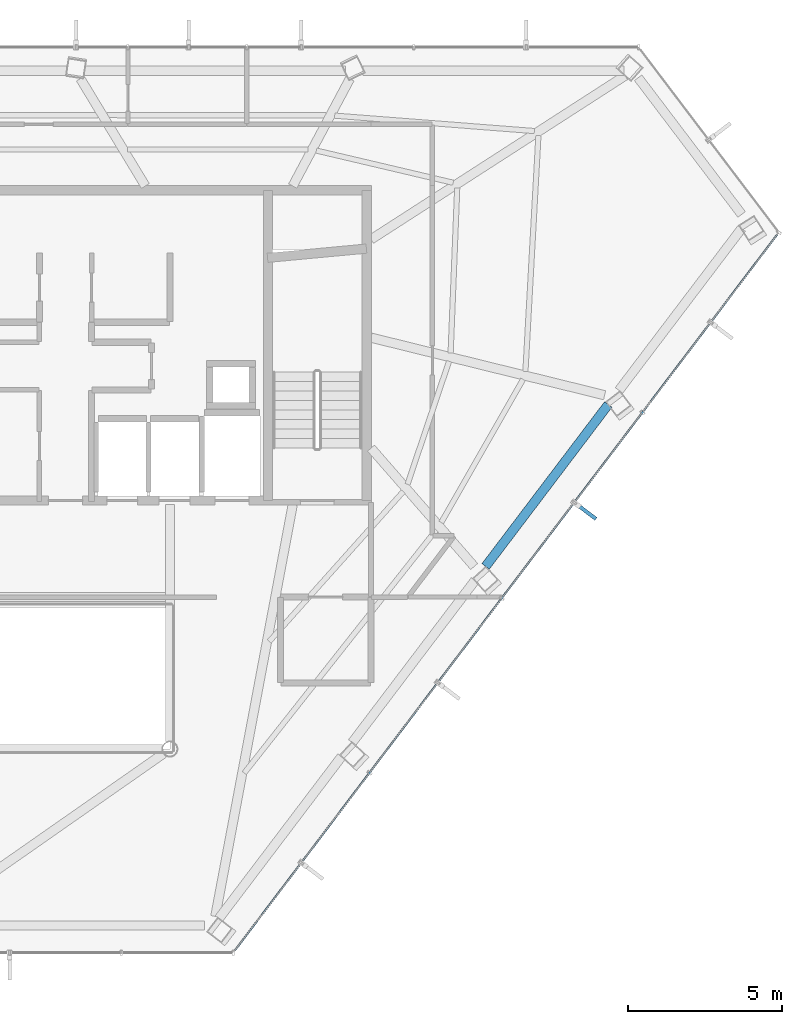
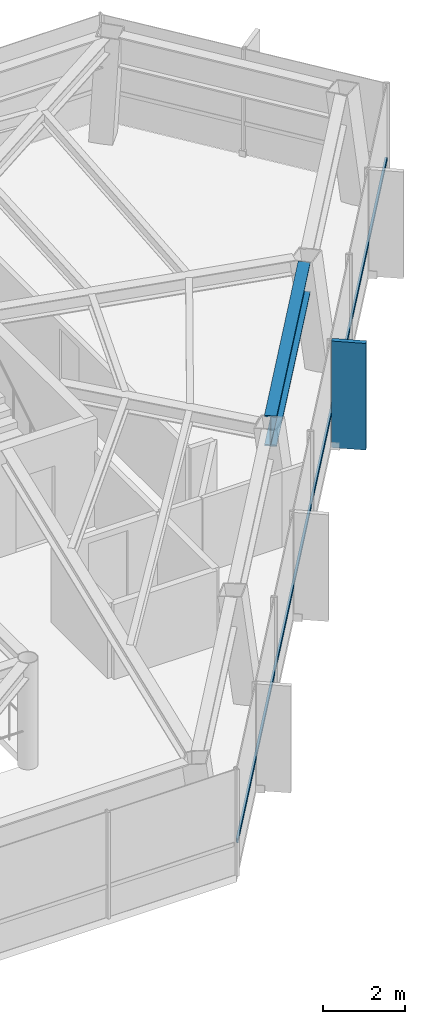
# One storey, part 16 of 25: 2 members, 1 beam, 1 element without a shape of its own.
"""IFC4 building model written with IfcOpenShell, lengths in metres."""

import ifcopenshell
import ifcopenshell.guid

model = None  # the IFC model being written
_history = None  # IfcOwnerHistory: only IFC2X3 demands one
_inside = {}  # id of a spatial element -> (the spatial element, [elements in it])
_under = {}  # id of a project, library or spatial element -> (it, [spatial elements below it])
_declared = {}  # id of a project -> (the project, [libraries it declares])
_typed = {}  # id of a type object -> (the type object, [elements of that type])
_made_of = {}  # id of a material, layer set ... -> (it, [elements and type objects made of it])


def new_model(schema):
    """Start an empty IFC model of exactly this schema.

    Asked for "IFC4X3", IfcOpenShell would pick the latest addendum, in which some entities
    have other attributes; the version numbers below select the first issue.
    IFC2X3 requires an IfcOwnerHistory on every rooted entity: one is made here for all.
    """
    global model, _history
    if schema == "IFC4X3":
        model = ifcopenshell.file(schema_version=(4, 3, 0, 0))
    else:
        model = ifcopenshell.file(schema=schema)
    _inside.clear()
    _under.clear()
    _declared.clear()
    _typed.clear()
    _made_of.clear()
    _history = None
    if model.schema == "IFC2X3":
        org = make("IfcOrganization", Name="unknown")
        user = make(
            "IfcPersonAndOrganization",
            ThePerson=make("IfcPerson", FamilyName="unknown"),
            TheOrganization=org,
        )
        app = make(
            "IfcApplication",
            ApplicationDeveloper=org,
            Version="unknown",
            ApplicationFullName="unknown",
            ApplicationIdentifier="unknown",
        )
        _history = make(
            "IfcOwnerHistory",
            OwningUser=user,
            OwningApplication=app,
            ChangeAction="ADDED",
            CreationDate=0,
        )
    return model


def make(cls, **values):
    """One entity of the class cls with the attributes given. An attribute that is None is left unset."""
    return model.create_entity(
        cls, **{name: value for name, value in values.items() if value is not None}
    )


def rooted(cls, **values):
    """An entity with a GlobalId (a new one), such as an element, a storey or a relation."""
    return make(cls, GlobalId=ifcopenshell.guid.new(), OwnerHistory=_history, **values)


def si_unit(unit_type, name, prefix=None):
    """IfcSIUnit, for example si_unit("LENGTHUNIT", "METRE", prefix="MILLI")."""
    return make("IfcSIUnit", UnitType=unit_type, Prefix=prefix, Name=name)


def assignment(units):
    """IfcUnitAssignment: the units of a project."""
    return None if units is None else make("IfcUnitAssignment", Units=units)


def point(xyz):
    """IfcCartesianPoint."""
    return None if xyz is None else make("IfcCartesianPoint", Coordinates=xyz)


def direction(xyz):
    """IfcDirection."""
    return None if xyz is None else make("IfcDirection", DirectionRatios=xyz)


def frame(location, z_axis=None, x_axis=None):
    """IfcAxis2Placement3D, a coordinate frame: its origin and axes. An axis left out is left unset."""
    return make(
        "IfcAxis2Placement3D",
        Location=point(location),
        Axis=direction(z_axis),
        RefDirection=direction(x_axis),
    )


def frame_2d(location, x_axis=None):
    """IfcAxis2Placement2D, a coordinate frame in the plane: its origin and x axis."""
    return make(
        "IfcAxis2Placement2D", Location=point(location), RefDirection=direction(x_axis)
    )


def origin():
    """The frame at (0, 0, 0) with its axes left unset."""
    return frame((0.0, 0.0, 0.0))


def origin_2d():
    """The frame at (0, 0) in the plane with its x axis left unset."""
    return frame_2d((0.0, 0.0))


def place(relative_to, where):
    """IfcLocalPlacement: puts the frame where relative to a parent placement (None: the world)."""
    return make(
        "IfcLocalPlacement", PlacementRelTo=relative_to, RelativePlacement=where
    )


def context(
    kind, dimensions, precision=None, world=None, true_north=None, identifier=None
):
    """IfcGeometricRepresentationContext, for example the 3D "Model" context."""
    return make(
        "IfcGeometricRepresentationContext",
        ContextIdentifier=identifier,
        ContextType=kind,
        CoordinateSpaceDimension=dimensions,
        Precision=precision,
        WorldCoordinateSystem=world,
        TrueNorth=true_north,
    )


def subcontext(parent, identifier, kind, view, scale=None):
    """IfcGeometricRepresentationSubContext, for example "Body" below "Model"."""
    return make(
        "IfcGeometricRepresentationSubContext",
        ContextIdentifier=identifier,
        ContextType=kind,
        ParentContext=parent,
        TargetScale=scale,
        TargetView=view,
    )


def project(units=None, contexts=None):
    """IfcProject with its units and contexts."""
    return rooted(
        "IfcProject",
        Name="project",
        RepresentationContexts=contexts,
        UnitsInContext=assignment(units),
    )


def spatial(cls, under=None, at=None, **own):
    """A site, building, storey or space (cls), placed at a placement, below another one or the project."""
    s = rooted(cls, ObjectPlacement=at, **own)
    if under is not None:
        _under.setdefault(under.id(), (under, []))[1].append(s)
    return s


def profile(cls, at=None, kind="AREA", **sizes):
    """A parametric profile (cls). Its sizes go by their IFC names, for example OverallWidth=200.0."""
    return make(cls, ProfileType=kind, Position=at, **sizes)


def rectangle(**sizes):
    """IfcRectangleProfileDef."""
    return profile("IfcRectangleProfileDef", **sizes)


def hollow_rectangle(**sizes):
    """IfcRectangleHollowProfileDef."""
    return profile("IfcRectangleHollowProfileDef", **sizes)


def i_section(**sizes):
    """IfcIShapeProfileDef."""
    return profile("IfcIShapeProfileDef", **sizes)


def extrude(swept, where, along, depth):
    """IfcExtrudedAreaSolid: the profile swept, set in the frame where, extruded along a direction by depth."""
    return make(
        "IfcExtrudedAreaSolid",
        SweptArea=swept,
        Position=where,
        ExtrudedDirection=direction(along),
        Depth=depth,
    )


def shape(context_of_items, identifier, shape_type, items):
    """IfcShapeRepresentation: the items that make up one representation, for example the "Body"."""
    return make(
        "IfcShapeRepresentation",
        ContextOfItems=context_of_items,
        RepresentationIdentifier=identifier,
        RepresentationType=shape_type,
        Items=items,
    )


def material(Name=None, Category=None):
    """IfcMaterial."""
    return make("IfcMaterial", Name=Name, Category=Category)


def layer(
    of_material, thickness, ventilated=None, Name=None, Category=None, Priority=None
):
    """IfcMaterialLayer: one layer of a wall or slab, of a material (None: an air gap)."""
    return make(
        "IfcMaterialLayer",
        Material=of_material,
        LayerThickness=thickness,
        IsVentilated=ventilated,
        Name=Name,
        Category=Category,
        Priority=Priority,
    )


def layer_set(layers, Name=None):
    """IfcMaterialLayerSet."""
    return make("IfcMaterialLayerSet", MaterialLayers=layers, LayerSetName=Name)


def material_profile(
    of_material, cross_section, Name=None, Category=None, Priority=None
):
    """IfcMaterialProfile: a cross section and its material."""
    return make(
        "IfcMaterialProfile",
        Name=Name,
        Material=of_material,
        Profile=cross_section,
        Priority=Priority,
        Category=Category,
    )


def profile_set(profiles, Name=None, composite=None):
    """IfcMaterialProfileSet."""
    return make(
        "IfcMaterialProfileSet",
        Name=Name,
        MaterialProfiles=profiles,
        CompositeProfile=composite,
    )


def made_of(thing, what):
    """Note that an element or type object is made of a material, layer set ...; save() writes the relation."""
    if what is not None:
        _made_of.setdefault(what.id(), (what, []))[1].append(thing)
    return thing


def type_object(cls, material=None, **own):
    """A type object (cls), such as IfcWallType, which elements share."""
    return made_of(rooted(cls, **own), material)


def element(
    cls,
    number,
    at=None,
    inside=None,
    cuts=None,
    type_object=None,
    material=None,
    context=None,
    identifier="Body",
    shape_type=None,
    held_by="IfcProductDefinitionShape",
    body=None,
    shapes=None,
    **own,
):
    """One element of the class cls, such as IfcWall. Its Tag is "e" and its number.

    at: its placement. inside: the storey or other place that contains it. cuts: it is an
    opening in that element (IfcRelVoidsElement). A single representation is given by context,
    identifier, shape_type and body (its items); several are given by shapes. held_by: the class
    of the entity that holds the representations. save() writes the other relations.
    """
    e = rooted(cls, Tag="e%d" % number, ObjectPlacement=at, **own)
    if body is not None:
        shapes = [shape(context, identifier, shape_type, body)]
    if shapes is not None:
        e.Representation = make(held_by, Representations=shapes)
    if inside is not None:
        _inside.setdefault(inside.id(), (inside, []))[1].append(e)
    if cuts is not None:
        rooted(
            "IfcRelVoidsElement", RelatingBuildingElement=cuts, RelatedOpeningElement=e
        )
    if type_object is not None:
        _typed.setdefault(type_object.id(), (type_object, []))[1].append(e)
    return made_of(e, material)


def aggregate(whole, parts):
    """IfcRelAggregates: a whole, such as a stair, and the parts it consists of."""
    return rooted("IfcRelAggregates", RelatingObject=whole, RelatedObjects=parts)


def save(model, path):
    """Write the relations noted so far, then the file.

    IfcRelAggregates (storeys below a building ...), IfcRelContainedInSpatialStructure (elements
    in a storey), IfcRelDefinesByType, IfcRelAssociatesMaterial and IfcRelDeclares: one each for
    every whole, place, type object, material and project.
    """
    for whole, parts in _under.values():
        aggregate(whole, parts)
    for where, things in _inside.values():
        rooted(
            "IfcRelContainedInSpatialStructure",
            RelatedElements=things,
            RelatingStructure=where,
        )
    for kind, things in _typed.values():
        rooted("IfcRelDefinesByType", RelatedObjects=things, RelatingType=kind)
    for what, things in _made_of.values():
        rooted("IfcRelAssociatesMaterial", RelatedObjects=things, RelatingMaterial=what)
    for by, libraries in _declared.values():
        rooted("IfcRelDeclares", RelatingContext=by, RelatedDefinitions=libraries)
    model.write(path)


model = new_model("IFC4")

# Units and contexts
model_context = context("Model", 3, precision=1e-05, world=origin(), true_north=direction((0.0, 1.0)))
body_context = subcontext(model_context, "Body", "Model", "MODEL_VIEW")
ifc_project = project(units=[si_unit("LENGTHUNIT", "METRE"), si_unit("AREAUNIT", "SQUARE_METRE"), si_unit("VOLUMEUNIT", "CUBIC_METRE"), si_unit("PLANEANGLEUNIT", "RADIAN"), si_unit("MASSUNIT", "GRAM", prefix="KILO")], contexts=[model_context])

# Site, building, storey
site_placement = place(None, origin())
site = spatial("IfcSite", under=ifc_project, at=site_placement, CompositionType="ELEMENT")
building_placement = place(site_placement, origin())
building = spatial("IfcBuilding", under=site, at=building_placement, Name="Zarrinselat Tower", CompositionType="ELEMENT")
storey_placement = place(building_placement, frame((0.0, 0.0, 246.159912109375)))
storey = spatial("IfcBuildingStorey", under=building, at=storey_placement, Name="L62", CompositionType="ELEMENT", Elevation=246.159912109375)

# Beam
ifc_material_1 = material(Name="Steel S460M", Category="steel")
ifc_material_profile_1 = material_profile(ifc_material_1, i_section(OverallWidth=0.302001953125, OverallDepth=0.909912109375, WebThickness=0.02099609375, FlangeThickness=0.0400390625, at=origin_2d()), Name="HEM 900")
ifc_profile_set_1 = profile_set([ifc_material_profile_1], Name="Steel S460M")
beam_type = type_object("IfcBeamType", Name="BM-HEM900", PredefinedType="BEAM", material=ifc_profile_set_1)
beam_placement = place(storey_placement, frame((52.08251953125, 31.148681640625, 2.72509765625), z_axis=(0.603877579306, 0.797077078588, 0.0), x_axis=(-0.797077078588, 0.603877579306, 0.0)))
element("IfcBeam", 1, at=beam_placement, inside=storey, type_object=beam_type, Name="L62 Perimeter Spandrel Girder SP13", PredefinedType="BEAM", context=body_context, shape_type="SweptSolid", body=[
    extrude(i_section(OverallWidth=0.302001953125, OverallDepth=0.909912109375, WebThickness=0.02099609375, FlangeThickness=0.0400390625, at=origin_2d()), origin(), (0.0, 0.0, 1.0), 6.61669921875),
])

# Curtain wall, members
ifc_material_2 = material(Name="Extruded Aluminium Alloy EN AW-6063 T6", Category="aluminium")
ifc_layer = layer(ifc_material_2, 0.169921875)
ifc_layer_set = layer_set([ifc_layer], Name="Extruded Aluminium Alloy EN AW-6063 T6")
curtain_wall_type = type_object("IfcCurtainWallType", Name="CWS-RES", PredefinedType="NOTDEFINED", material=ifc_layer_set)
curtain_wall_placement = place(storey_placement, origin())
curtain_wall = element("IfcCurtainWall", 2, at=curtain_wall_placement, inside=storey, type_object=curtain_wall_type, Name="L62 Unitised Curtain Wall CW-L62-E05", PredefinedType="NOTDEFINED")
ifc_material_3 = material(Name="Extruded Aluminium Alloy EN AW-6063 T6", Category="aluminium")
ifc_material_profile_2 = material_profile(ifc_material_3, hollow_rectangle(XDim=0.06005859375, YDim=0.1201171875, WallThickness=0.00390625, at=origin_2d()), Name="RHS 120x60x4")
ifc_profile_set_2 = profile_set([ifc_material_profile_2], Name="Extruded Aluminium Alloy EN AW-6063 T6")
member_type_1 = type_object("IfcMemberType", Name="MEM-CW-TRN2", PredefinedType="USERDEFINED", material=ifc_profile_set_2)
member_1_placement = place(storey_placement, frame((43.91259765625, 18.634521484375, 0.9501953125), z_axis=(0.603860258145, 0.797090201064, 0.0), x_axis=(-0.797090201064, 0.603860258145, 0.0)))
member_1 = element("IfcMember", 3, at=member_1_placement, type_object=member_type_1, Name="CW-L62-E05 Transom 1", ObjectType="TRANSOM", PredefinedType="USERDEFINED", context=body_context, shape_type="SweptSolid", body=[
    extrude(hollow_rectangle(XDim=0.06005859375, YDim=0.1201171875, WallThickness=0.00390625, at=origin_2d()), origin(), (0.0, 0.0, 1.0), 29.261962890625),
])
ifc_material_4 = material(Name="Honed Cream Travertine Stone", Category="masonry")
ifc_material_profile_3 = material_profile(ifc_material_4, rectangle(XDim=0.1201171875, YDim=0.85009765625, at=origin_2d()), Name="FIN 850x120")
ifc_profile_set_3 = profile_set([ifc_material_profile_3], Name="Honed Cream Travertine Stone")
member_type_2 = type_object("IfcMemberType", Name="MEM-STONE-FIN", PredefinedType="USERDEFINED", material=ifc_profile_set_3)
member_2_placement = place(storey_placement, frame((55.336669921875, 32.952392578125, 0.0), z_axis=(0.0, 0.0, 1.0), x_axis=(-0.603858472709, -0.797091553674, 0.0)))
member_2 = element("IfcMember", 4, at=member_2_placement, type_object=member_type_2, Name="L62 Stone Shading Fin CW-L62-E05-05", ObjectType="FIN", PredefinedType="USERDEFINED", context=body_context, shape_type="SweptSolid", body=[
    extrude(rectangle(XDim=0.1201171875, YDim=0.85009765625, at=origin_2d()), origin(), (0.0, 0.0, 1.0), 3.18017578125),
])
aggregate(curtain_wall, [member_2, member_1])

save(model, "model.ifc")
